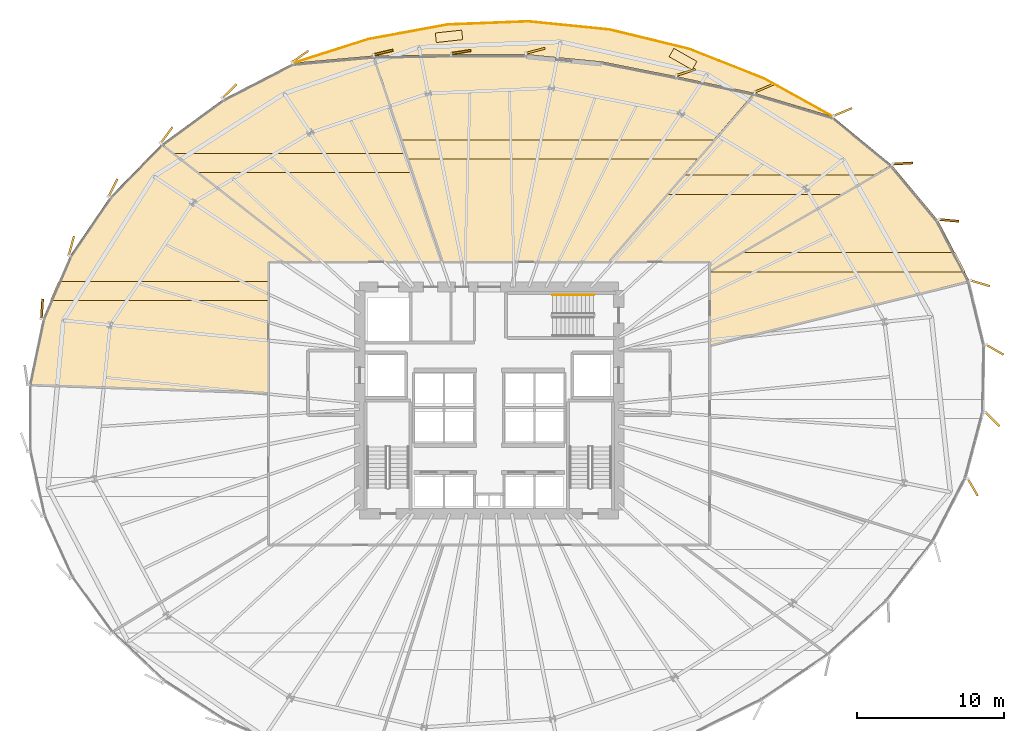
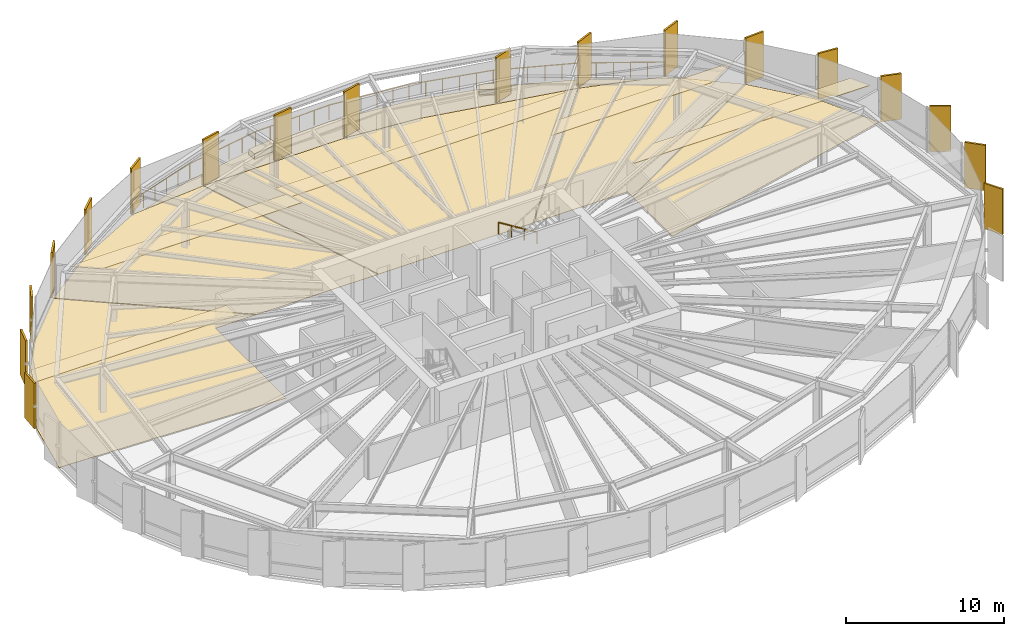
# One storey, part 37 of 37: 31 coverings, 8 railings.
"""IFC4 building model written with IfcOpenShell, lengths in metres."""

from ifc_helpers import new_model, si_unit, direction, frame, origin, origin_2d, place, context, subcontext, project, spatial, polyline, rectangle, circle, outline, extrude, source, transform, mapped, material, layer, layer_set, type_object, element, save


model = new_model("IFC4")

# Units and contexts
model_context = context("Model", 3, precision=1e-05, world=origin(), true_north=direction((0.0, 1.0)))
body_context = subcontext(model_context, "Body", "Model", "MODEL_VIEW")
ifc_project = project(units=[si_unit("LENGTHUNIT", "METRE"), si_unit("AREAUNIT", "SQUARE_METRE"), si_unit("VOLUMEUNIT", "CUBIC_METRE"), si_unit("PLANEANGLEUNIT", "RADIAN"), si_unit("MASSUNIT", "GRAM", prefix="KILO"), si_unit("THERMODYNAMICTEMPERATUREUNIT", "KELVIN")], contexts=[model_context])

# Site, building, storey
site_placement = place(None, origin())
site = spatial("IfcSite", under=ifc_project, at=site_placement, CompositionType="ELEMENT")
building_placement = place(site_placement, origin())
building = spatial("IfcBuilding", under=site, at=building_placement, Name="Kethvar Cultural Tower", CompositionType="ELEMENT")
storey_placement = place(building_placement, frame((0.0, 0.0, 56.199951171875)))
storey = spatial("IfcBuildingStorey", under=building, at=storey_placement, Name="L13", CompositionType="ELEMENT", Elevation=56.199951171875)

# Coverings
ifc_material_1 = material(Name="Acoustic Mineral Fibre Ceiling")
ifc_layer_1 = layer(ifc_material_1, 0.0400390625, Name="Acoustic Mineral Fibre Ceiling")
ifc_layer_set_1 = layer_set([ifc_layer_1], Name="Acoustic Mineral Fibre Ceiling (40 mm)")
covering_type_1 = type_object("IfcCoveringType", Name="CV-ACOUSTIC-CEIL", PredefinedType="CEILING", material=ifc_layer_set_1)
covering_1_placement = place(storey_placement, frame((0.0, 0.0, 2.56005859375)))
element("IfcCovering", 1, at=covering_1_placement, inside=storey, type_object=covering_type_1, Name="L13 Room 05 Acoustic Ceiling Panel", PredefinedType="CEILING", context=body_context, shape_type="SweptSolid", body=[
    extrude(outline(polyline([(79.14111328125, 36.538330078125), (61.77001953125, 36.538330078125), (61.77001953125, 36.561279296875), (63.952392578125, 37.848388671875), (78.460693359375, 37.848388671875), (79.14111328125, 36.538330078125)])), origin(), (0.0, 0.0, 1.0), 0.0400390625),
])
covering_2_placement = place(storey_placement, frame((0.0, 0.0, 2.56005859375)))
element("IfcCovering", 2, at=covering_2_placement, inside=storey, type_object=covering_type_1, Name="L13 Room 06 Acoustic Ceiling Panel", PredefinedType="CEILING", context=body_context, shape_type="SweptSolid", body=[
    extrude(outline(polyline([(70.78369140625, 41.794921875), (58.8583984375, 41.794921875), (59.98974609375, 43.10498046875), (73.025146484375, 43.10498046875), (70.78369140625, 41.794921875)])), origin(), (0.0, 0.0, 1.0), 0.0400390625),
])
covering_3_placement = place(storey_placement, frame((0.0, 0.0, 2.56005859375)))
element("IfcCovering", 3, at=covering_3_placement, inside=storey, type_object=covering_type_1, Name="L13 Room 07 Acoustic Ceiling Panel", PredefinedType="CEILING", context=body_context, shape_type="SweptSolid", body=[
    extrude(outline(polyline([(60.976806640625, 44.18701171875), (41.27978515625, 44.18701171875), (40.840087890625, 45.496826171875), (62.108154296875, 45.496826171875), (60.976806640625, 44.18701171875)])), origin(), (0.0, 0.0, 1.0), 0.0400390625),
])
covering_4_placement = place(storey_placement, frame((0.0, 0.0, 2.56005859375)))
element("IfcCovering", 4, at=covering_4_placement, inside=storey, type_object=covering_type_1, Name="L13 Room 08 Acoustic Ceiling Panel", PredefinedType="CEILING", context=body_context, shape_type="SweptSolid", body=[
    extrude(outline(polyline([(41.626953125, 43.2783203125), (26.9794921875, 43.2783203125), (25.3046875, 44.588134765625), (41.187255859375, 44.588134765625), (41.626953125, 43.2783203125)])), origin(), (0.0, 0.0, 1.0), 0.0400390625),
])
covering_5_placement = place(storey_placement, frame((0.0, 0.0, 2.56005859375)))
element("IfcCovering", 5, at=covering_5_placement, inside=storey, type_object=covering_type_1, Name="L13 Room 09 Acoustic Ceiling Panel", PredefinedType="CEILING", context=body_context, shape_type="SweptSolid", body=[
    extrude(outline(polyline([(17.537353515625, 35.895263671875), (31.830078125, 35.895263671875), (31.830078125, 34.585205078125), (16.972412109375, 34.585205078125), (17.537353515625, 35.895263671875)])), origin(), (0.0, 0.0, 1.0), 0.0400390625),
])
ifc_material_2 = material(Name="Architectural Oak Timber", Category="wood")
ifc_layer_2 = layer(ifc_material_2, 0.02490234375, Name="Architectural Oak Timber", Category="wood")
ifc_layer_set_2 = layer_set([ifc_layer_2], Name="Architectural Oak Timber (25 mm)")
covering_type_2 = type_object("IfcCoveringType", Name="CV-OAK-FLOOR", PredefinedType="FLOORING", material=ifc_layer_set_2)
covering_6_placement = place(storey_placement, origin())
element("IfcCovering", 6, at=covering_6_placement, inside=storey, type_object=covering_type_2, Name="L13 Room 05 Floor Finish", PredefinedType="FLOORING", context=body_context, shape_type="SweptSolid", body=[
    extrude(outline(polyline([(77.282470703125, 40.02978515625), (79.416015625, 35.922607421875), (61.81005859375, 31.54931640625), (61.81005859375, 36.5498046875), (74.1591796875, 43.767822265625), (77.282470703125, 40.02978515625)])), origin(), (0.0, 0.0, 1.0), 0.025146484375),
])
covering_7_placement = place(storey_placement, origin())
element("IfcCovering", 7, at=covering_7_placement, inside=storey, type_object=covering_type_2, Name="L13 Room 06 Floor Finish", PredefinedType="FLOORING", context=body_context, shape_type="SweptSolid", body=[
    extrude(outline(polyline([(70.1748046875, 47.041015625), (74.12890625, 43.79638671875), (61.81005859375, 36.59619140625), (61.7919921875, 37.219970703125), (54.960693359375, 37.219970703125), (64.8271484375, 48.645751953125), (70.1748046875, 47.041015625)])), origin(), (0.0, 0.0, 1.0), 0.025146484375),
])
covering_8_placement = place(storey_placement, origin())
element("IfcCovering", 8, at=covering_8_placement, inside=storey, type_object=covering_type_2, Name="L13 Room 07 Floor Finish", PredefinedType="FLOORING", context=body_context, shape_type="SweptSolid", body=[
    extrude(outline(polyline([(38.973876953125, 51.183837890625), (49.32080078125, 51.281005859375), (54.442138671875, 50.783203125), (64.783203125, 48.656005859375), (54.907958984375, 37.219970703125), (43.659912109375, 37.219970703125), (38.973876953125, 51.183837890625)])), origin(), (0.0, 0.0, 1.0), 0.025146484375),
])
covering_9_placement = place(storey_placement, origin())
element("IfcCovering", 9, at=covering_9_placement, inside=storey, type_object=covering_type_2, Name="L13 Room 08 Floor Finish", PredefinedType="FLOORING", context=body_context, shape_type="SweptSolid", body=[
    extrude(outline(polyline([(28.7255859375, 48.255615234375), (33.4521484375, 50.686767578125), (38.932373046875, 51.18212890625), (43.61767578125, 37.219970703125), (34.78955078125, 37.219970703125), (24.566650390625, 45.216552734375), (28.7255859375, 48.255615234375)])), origin(), (0.0, 0.0, 1.0), 0.025146484375),
])
covering_10_placement = place(storey_placement, origin())
element("IfcCovering", 10, at=covering_10_placement, inside=storey, type_object=covering_type_2, Name="L13 Room 09 Floor Finish", PredefinedType="FLOORING", context=body_context, shape_type="SweptSolid", body=[
    extrude(outline(polyline([(16.468994140625, 33.31689453125), (18.323486328125, 37.6171875), (21.043701171875, 41.619384765625), (24.53515625, 45.190185546875), (34.724609375, 37.219970703125), (31.791015625, 37.205810546875), (31.7900390625, 28.324462890625), (15.539794921875, 28.87060546875), (16.468994140625, 33.31689453125)])), origin(), (0.0, 0.0, 1.0), 0.025146484375),
])
ifc_material_3 = material(Name="Insulated Waterproofing Membrane")
ifc_layer_3 = layer(ifc_material_3, 0.06005859375, Name="Insulated Waterproofing Membrane")
ifc_layer_set_3 = layer_set([ifc_layer_3], Name="Insulated Waterproofing Membrane (60 mm)")
covering_type_3 = type_object("IfcCoveringType", Name="CV-ROOF-MEMB", PredefinedType="ROOFING", material=ifc_layer_set_3)
covering_11_placement = place(storey_placement, frame((0.0, 0.0, -0.27490234375)))
element("IfcCovering", 11, at=covering_11_placement, inside=storey, type_object=covering_type_3, Name="L13 Terrace Waterproofing", PredefinedType="ROOFING", context=body_context, shape_type="SweptSolid", body=[
    extrude(outline(polyline([(70.1845703125, 47.05908203125), (65.53759765625, 49.743896484375), (60.413818359375, 51.772216796875), (55.001708984375, 53.086181640625), (49.473388671875, 53.646240234375), (43.97021484375, 53.432861328125), (38.58349609375, 52.444091796875), (33.4462890625, 50.706298828125), (38.9462890625, 51.203369140625), (44.20751953125, 51.283935546875), (49.32177734375, 51.301025390625), (54.445068359375, 50.802978515625), (59.544921875, 49.79248046875), (64.820556640625, 48.668701171875), (70.1845703125, 47.05908203125)])), origin(), (0.0, 0.0, 1.0), 0.06005859375),
])

# Railings
ifc_material_4 = material(Name="Steel S355J2", Category="steel")
railing_type_1 = type_object("IfcRailingType", Name="RL-EXT-GUARD-1150", PredefinedType="BALUSTRADE", material=ifc_material_4)
railing_1_placement = place(storey_placement, frame((70.1845703125, 47.05908203125, 0.0)))
element("IfcRailing", 12, at=railing_1_placement, inside=storey, type_object=railing_type_1, Name="L13 Spiralling Terrace Balustrade 01", PredefinedType="BALUSTRADE", context=body_context, shape_type="SweptSolid", body=[
    extrude(circle(Radius=0.02392578125, at=origin_2d()), frame((0.0, 0.0, 1.1259765625), z_axis=(-0.874853418948, 0.484387753102, 0.0), x_axis=(-0.484387753102, -0.874853418948, 0.0)), (0.0, 0.0, 1.0), 5.385986328125),
    extrude(circle(Radius=0.02099609375, at=origin_2d()), origin(), (0.0, 0.0, 1.0), 1.101806640625),
    extrude(circle(Radius=0.02099609375, at=origin_2d()), frame((-0.9423828125, 0.521728515625, 0.0)), (0.0, 0.0, 1.0), 1.101806640625),
    extrude(circle(Radius=0.02099609375, at=origin_2d()), frame((-1.884765625, 1.04345703125, 0.0)), (0.0, 0.0, 1.0), 1.101806640625),
    extrude(circle(Radius=0.02099609375, at=origin_2d()), frame((-2.8271484375, 1.5654296875, 0.0)), (0.0, 0.0, 1.0), 1.101806640625),
    extrude(circle(Radius=0.02099609375, at=origin_2d()), frame((-3.76953125, 2.087158203125, 0.0)), (0.0, 0.0, 1.0), 1.101806640625),
    extrude(circle(Radius=0.02099609375, at=origin_2d()), frame((-4.7119140625, 2.60888671875, 0.0)), (0.0, 0.0, 1.0), 1.101806640625),
])
railing_2_placement = place(storey_placement, frame((65.47265625, 49.66796875, 0.0)))
element("IfcRailing", 13, at=railing_2_placement, inside=storey, type_object=railing_type_1, Name="L13 Spiralling Terrace Balustrade 02", PredefinedType="BALUSTRADE", context=body_context, shape_type="SweptSolid", body=[
    extrude(circle(Radius=0.02392578125, at=origin_2d()), frame((0.0, 0.0, 1.1259765625), z_axis=(-0.930095680617, 0.367317335417, 0.0), x_axis=(-0.367317335417, -0.930095680617, 0.0)), (0.0, 0.0, 1.0), 5.4921875),
    extrude(circle(Radius=0.02099609375, at=origin_2d()), origin(), (0.0, 0.0, 1.0), 1.101806640625),
    extrude(circle(Radius=0.02099609375, at=origin_2d()), frame((-1.021728515625, 0.403564453125, 0.0)), (0.0, 0.0, 1.0), 1.101806640625),
    extrude(circle(Radius=0.02099609375, at=origin_2d()), frame((-2.043212890625, 0.806884765625, 0.0)), (0.0, 0.0, 1.0), 1.101806640625),
    extrude(circle(Radius=0.02099609375, at=origin_2d()), frame((-3.06494140625, 1.21044921875, 0.0)), (0.0, 0.0, 1.0), 1.101806640625),
    extrude(circle(Radius=0.02099609375, at=origin_2d()), frame((-4.08642578125, 1.61376953125, 0.0)), (0.0, 0.0, 1.0), 1.101806640625),
    extrude(circle(Radius=0.02099609375, at=origin_2d()), frame((-5.108154296875, 2.017333984375, 0.0)), (0.0, 0.0, 1.0), 1.101806640625),
])
railing_3_placement = place(storey_placement, frame((60.364501953125, 51.685302734375, 0.0)))
element("IfcRailing", 14, at=railing_3_placement, inside=storey, type_object=railing_type_1, Name="L13 Spiralling Terrace Balustrade 03", PredefinedType="BALUSTRADE", context=body_context, shape_type="SweptSolid", body=[
    extrude(circle(Radius=0.02392578125, at=origin_2d()), frame((0.0, 0.0, 1.1259765625), z_axis=(-0.971929412817, 0.235272642907, 0.0), x_axis=(-0.235272642907, -0.971929412817, 0.0)), (0.0, 0.0, 1.0), 5.549560546875),
    extrude(circle(Radius=0.02099609375, at=origin_2d()), origin(), (0.0, 0.0, 1.0), 1.101806640625),
    extrude(circle(Radius=0.02099609375, at=origin_2d()), frame((-1.078857421875, 0.26123046875, 0.0)), (0.0, 0.0, 1.0), 1.101806640625),
    extrude(circle(Radius=0.02099609375, at=origin_2d()), frame((-2.157470703125, 0.522216796875, 0.0)), (0.0, 0.0, 1.0), 1.101806640625),
    extrude(circle(Radius=0.02099609375, at=origin_2d()), frame((-3.236328125, 0.783447265625, 0.0)), (0.0, 0.0, 1.0), 1.101806640625),
    extrude(circle(Radius=0.02099609375, at=origin_2d()), frame((-4.31494140625, 1.04443359375, 0.0)), (0.0, 0.0, 1.0), 1.101806640625),
    extrude(circle(Radius=0.02099609375, at=origin_2d()), frame((-5.393798828125, 1.3056640625, 0.0)), (0.0, 0.0, 1.0), 1.101806640625),
])
railing_4_placement = place(storey_placement, frame((54.970703125, 52.990966796875, 0.0)))
element("IfcRailing", 15, at=railing_4_placement, inside=storey, type_object=railing_type_1, Name="L13 Spiralling Terrace Balustrade 04", PredefinedType="BALUSTRADE", context=body_context, shape_type="SweptSolid", body=[
    extrude(circle(Radius=0.02392578125, at=origin_2d()), frame((0.0, 0.0, 1.1259765625), z_axis=(-0.994949031158, 0.100381399659, 0.0), x_axis=(-0.100381399659, -0.994949031158, 0.0)), (0.0, 0.0, 1.0), 5.53564453125),
    extrude(circle(Radius=0.02099609375, at=origin_2d()), origin(), (0.0, 0.0, 1.0), 1.101806640625),
    extrude(circle(Radius=0.02099609375, at=origin_2d()), frame((-1.1015625, 0.111083984375, 0.0)), (0.0, 0.0, 1.0), 1.101806640625),
    extrude(circle(Radius=0.02099609375, at=origin_2d()), frame((-2.203125, 0.22216796875, 0.0)), (0.0, 0.0, 1.0), 1.101806640625),
    extrude(circle(Radius=0.02099609375, at=origin_2d()), frame((-3.304443359375, 0.33349609375, 0.0)), (0.0, 0.0, 1.0), 1.101806640625),
    extrude(circle(Radius=0.02099609375, at=origin_2d()), frame((-4.406005859375, 0.444580078125, 0.0)), (0.0, 0.0, 1.0), 1.101806640625),
    extrude(circle(Radius=0.02099609375, at=origin_2d()), frame((-5.507568359375, 0.5556640625, 0.0)), (0.0, 0.0, 1.0), 1.101806640625),
])
railing_5_placement = place(storey_placement, frame((49.463134765625, 53.546630859375, 0.0)))
element("IfcRailing", 16, at=railing_5_placement, inside=storey, type_object=railing_type_1, Name="L13 Spiralling Terrace Balustrade 05", PredefinedType="BALUSTRADE", context=body_context, shape_type="SweptSolid", body=[
    extrude(circle(Radius=0.02392578125, at=origin_2d()), frame((0.0, 0.0, 1.1259765625), z_axis=(-0.999245048536, -0.038850134826, 0.0), x_axis=(0.038850134826, -0.999245048536, 0.0)), (0.0, 0.0, 1.0), 5.486083984375),
    extrude(circle(Radius=0.02099609375, at=origin_2d()), origin(), (0.0, 0.0, 1.0), 1.101806640625),
    extrude(circle(Radius=0.02099609375, at=origin_2d()), frame((-1.096435546875, -0.042724609375, 0.0)), (0.0, 0.0, 1.0), 1.101806640625),
    extrude(circle(Radius=0.02099609375, at=origin_2d()), frame((-2.19287109375, -0.085205078125, 0.0)), (0.0, 0.0, 1.0), 1.101806640625),
    extrude(circle(Radius=0.02099609375, at=origin_2d()), frame((-3.2890625, -0.1279296875, 0.0)), (0.0, 0.0, 1.0), 1.101806640625),
    extrude(circle(Radius=0.02099609375, at=origin_2d()), frame((-4.385498046875, -0.17041015625, 0.0)), (0.0, 0.0, 1.0), 1.101806640625),
    extrude(circle(Radius=0.02099609375, at=origin_2d()), frame((-5.48193359375, -0.213134765625, 0.0)), (0.0, 0.0, 1.0), 1.101806640625),
])
railing_6_placement = place(storey_placement, frame((43.981201171875, 53.33349609375, 0.0)))
element("IfcRailing", 17, at=railing_6_placement, inside=storey, type_object=railing_type_1, Name="L13 Spiralling Terrace Balustrade 06", PredefinedType="BALUSTRADE", context=body_context, shape_type="SweptSolid", body=[
    extrude(circle(Radius=0.02392578125, at=origin_2d()), frame((0.0, 0.0, 1.1259765625), z_axis=(-0.98358803195, -0.18042888739, 0.0), x_axis=(0.18042888739, -0.98358803195, 0.0)), (0.0, 0.0, 1.0), 5.455810546875),
    extrude(circle(Radius=0.02099609375, at=origin_2d()), origin(), (0.0, 0.0, 1.0), 1.101806640625),
    extrude(circle(Radius=0.02099609375, at=origin_2d()), frame((-1.0732421875, -0.19677734375, 0.0)), (0.0, 0.0, 1.0), 1.101806640625),
    extrude(circle(Radius=0.02099609375, at=origin_2d()), frame((-2.146484375, -0.393798828125, 0.0)), (0.0, 0.0, 1.0), 1.101806640625),
    extrude(circle(Radius=0.02099609375, at=origin_2d()), frame((-3.2197265625, -0.590576171875, 0.0)), (0.0, 0.0, 1.0), 1.101806640625),
    extrude(circle(Radius=0.02099609375, at=origin_2d()), frame((-4.29296875, -0.78759765625, 0.0)), (0.0, 0.0, 1.0), 1.101806640625),
    extrude(circle(Radius=0.02099609375, at=origin_2d()), frame((-5.3662109375, -0.984375, 0.0)), (0.0, 0.0, 1.0), 1.101806640625),
])
railing_7_placement = place(storey_placement, frame((38.614990234375, 52.34912109375, 0.0)))
element("IfcRailing", 18, at=railing_7_placement, inside=storey, type_object=railing_type_1, Name="L13 Spiralling Terrace Balustrade 07", PredefinedType="BALUSTRADE", context=body_context, shape_type="SweptSolid", body=[
    extrude(circle(Radius=0.02392578125, at=origin_2d()), frame((0.0, 0.0, 1.1259765625), z_axis=(-0.953019734353, -0.30290821371, 0.0), x_axis=(0.30290821371, -0.953019734353, 0.0)), (0.0, 0.0, 1.0), 5.423583984375),
    extrude(circle(Radius=0.02099609375, at=origin_2d()), origin(), (0.0, 0.0, 1.0), 1.101806640625),
    extrude(circle(Radius=0.02099609375, at=origin_2d()), frame((-1.03369140625, -0.32861328125, 0.0)), (0.0, 0.0, 1.0), 1.101806640625),
    extrude(circle(Radius=0.02099609375, at=origin_2d()), frame((-2.0673828125, -0.6572265625, 0.0)), (0.0, 0.0, 1.0), 1.101806640625),
    extrude(circle(Radius=0.02099609375, at=origin_2d()), frame((-3.101318359375, -0.985595703125, 0.0)), (0.0, 0.0, 1.0), 1.101806640625),
    extrude(circle(Radius=0.02099609375, at=origin_2d()), frame((-4.135009765625, -1.314208984375, 0.0)), (0.0, 0.0, 1.0), 1.101806640625),
    extrude(circle(Radius=0.02099609375, at=origin_2d()), frame((-5.168701171875, -1.642822265625, 0.0)), (0.0, 0.0, 1.0), 1.101806640625),
])
railing_type_2 = type_object("IfcRailingType", Name="RL-STAIR-HANDRAIL", PredefinedType="HANDRAIL", material=ifc_material_4)
railing_8_placement = place(storey_placement, frame((53.89990234375, 34.9599609375, 0.1728515625)))
element("IfcRailing", 19, at=railing_8_placement, inside=storey, type_object=railing_type_2, Name="L13 ST-03 stair handrail 1", PredefinedType="HANDRAIL", context=body_context, shape_type="SweptSolid", body=[
    extrude(circle(Radius=0.02392578125, at=origin_2d()), frame((0.0, 0.0, 0.8759765625), z_axis=(-0.851069175582, 0.0, 0.525053576669), x_axis=(0.0, -1.0, 0.0)), (0.0, 0.0, 1.0), 3.289794921875),
    extrude(circle(Radius=0.02099609375, at=origin_2d()), origin(), (0.0, 0.0, 1.0), 0.851806640625),
    extrude(circle(Radius=0.02099609375, at=origin_2d()), frame((-0.933349609375, 0.0, 0.57568359375)), (0.0, 0.0, 1.0), 0.851806640625),
    extrude(circle(Radius=0.02099609375, at=origin_2d()), frame((-1.866455078125, 0.0, 1.151611328125)), (0.0, 0.0, 1.0), 0.851806640625),
    extrude(circle(Radius=0.02099609375, at=origin_2d()), frame((-2.7998046875, 0.0, 1.727294921875)), (0.0, 0.0, 1.0), 0.851806640625),
])

# Coverings
ifc_material_5 = material(Name="Extruded Architectural Terracotta", Category="masonry")
ifc_layer_4 = layer(ifc_material_5, 0.135009765625, Name="Extruded Architectural Terracotta", Category="masonry")
ifc_layer_set_4 = layer_set([ifc_layer_4], Name="Extruded Architectural Terracotta (135 mm)")
covering_type_4 = type_object("IfcCoveringType", Name="Terracotta Facade Fin FIN-01", PredefinedType="CLADDING", material=ifc_layer_set_4)
shared_shape_1 = source(origin(), body_context, "Body", "SweptSolid", [
    extrude(rectangle(XDim=1.35009765625, YDim=0.135009765625, at=origin_2d()), origin(), (0.0, 0.0, 1.0), 3.510009765625),
])
for number, where, z_axis, x_axis, name in (
    (20, (81.15625, 31.244140625, 0.02001953125), (0.0, 0.0, 1.0), (0.866809733209, -0.498639034186, 0.0), "L13 Vertical Terracotta Fin 1.1"),
    (21, (80.1640625, 35.755859375, 0.02001953125), (0.0, 0.0, 1.0), (0.959363237809, -0.282174020669, 0.0), "L13 Vertical Terracotta Fin 1.2"),
    (22, (78.03271484375, 40.03125, 0.02001953125), (0.0, 0.0, 1.0), (0.995900201817, -0.090458764201, 0.0), "L13 Vertical Terracotta Fin 1.3"),
    (23, (74.88818359375, 43.895263671875, 0.02001953125), (0.0, 0.0, 1.0), (0.998260468937, 0.058957918535, 0.0), "L13 Vertical Terracotta Fin 1.4"),
    (24, (70.829833984375, 47.396728515625, 0.02001953125), (0.0, 0.0, 1.0), (0.92213346383, 0.386871910179, 0.0), "L13 Vertical Terracotta Fin 1.5"),
    (25, (65.45849609375, 49.01025390625, 0.02001953125), (0.0, 0.0, 1.0), (0.920641188263, 0.390409787882, 0.0), "L13 Vertical Terracotta Fin 1.6"),
    (26, (60.160888671875, 50.087158203125, 0.02001953125), (0.0, 0.0, 1.0), (0.951379596601, 0.308020881065, 0.0), "L13 Vertical Terracotta Fin 2.1"),
    (27, (49.931884765625, 51.552734375, 0.02001953125), (0.0, 0.0, 1.0), (0.967090360608, 0.254433162972, 0.0), "L13 Vertical Terracotta Fin 3.1"),
    (28, (44.873046875, 51.468017578125, 0.02001953125), (0.0, 0.0, 1.0), (0.988013809691, 0.15436551383, 0.0), "L13 Vertical Terracotta Fin 3.2"),
    (29, (39.59619140625, 51.436767578125, 0.02001953125), (0.0, 0.0, 1.0), (0.973738084586, 0.227671128223, 0.0), "L13 Vertical Terracotta Fin 3.3"),
    (30, (33.961181640625, 51.166748046875, 0.02001953125), (0.0, 0.0, 1.0), (0.816943635719, 0.576717518425, 0.0), "L13 Vertical Terracotta Fin 3.4"),
    (31, (29.152099609375, 48.8076171875, 0.02001953125), (0.0, 0.0, 1.0), (0.717397145963, 0.696664434978, 0.0), "L13 Vertical Terracotta Fin 3.5"),
    (32, (24.87646484375, 45.81640625, 0.02001953125), (0.0, 0.0, 1.0), (0.592856820161, 0.805307885711, 0.0), "L13 Vertical Terracotta Fin 3.6"),
    (33, (21.236328125, 42.247802734375, 0.02001953125), (0.0, 0.0, 1.0), (0.441505852792, 0.897258369674, 0.0), "L13 Vertical Terracotta Fin 4.1"),
    (34, (18.410888671875, 38.3095703125, 0.02001953125), (0.0, 0.0, 1.0), (0.264378054854, 0.964419122639, 0.0), "L13 Vertical Terracotta Fin 4.2"),
    (35, (16.416259765625, 34.012939453125, 0.02001953125), (0.0, 0.0, 1.0), (0.0662739004, 0.997801468292, 0.0), "L13 Vertical Terracotta Fin 4.3"),
    (36, (79.650390625, 21.90234375, 0.02001953125), (0.0, 0.0, 1.0), (0.50105767621, -0.865413892373, 0.0), "L13 Vertical Terracotta Fin 7.3"),
    (37, (80.987060546875, 26.5302734375, 0.02001953125), (0.0, 0.0, 1.0), (0.70944774386, -0.704758042687, 0.0), "L13 Vertical Terracotta Fin 7.4"),
):
    element("IfcCovering", number, at=place(storey_placement, frame(where, z_axis=z_axis, x_axis=x_axis)), inside=storey, type_object=covering_type_4, Name=name, PredefinedType="CLADDING", context=body_context, shape_type="MappedRepresentation", body=[
        mapped(shared_shape_1, transform((0.0, 0.0, 0.0), scale=1.0)),
    ])
ifc_layer_5 = layer(ifc_material_5, 0.419921875, Name="Extruded Architectural Terracotta", Category="masonry")
ifc_layer_set_5 = layer_set([ifc_layer_5], Name="Extruded Architectural Terracotta (420 mm)")
covering_type_5 = type_object("IfcCoveringType", Name="Terracotta Terrace Planter PLANTER-01", PredefinedType="USERDEFINED", material=ifc_layer_set_5)
shared_shape_2 = source(origin(), body_context, "Body", "SweptSolid", [
    extrude(rectangle(XDim=1.800048828125, YDim=0.64990234375, at=origin_2d()), origin(), (0.0, 0.0, 1.0), 0.419921875),
])
for number, where, z_axis, x_axis, name in (
    (38, (59.969482421875, 50.989501953125, 0.0), (0.0, 0.0, 1.0), (-0.86958112538, 0.493790103568, 0.0), "L13 Sky Terrace Planter Box A"),
    (39, (44.06884765625, 52.5380859375, 0.0), (0.0, 0.0, 1.0), (-0.993960955455, -0.109734311091, 0.0), "L13 Sky Terrace Planter Box B"),
):
    element("IfcCovering", number, at=place(storey_placement, frame(where, z_axis=z_axis, x_axis=x_axis)), inside=storey, type_object=covering_type_5, Name=name, ObjectType="PLANTER", PredefinedType="USERDEFINED", context=body_context, shape_type="MappedRepresentation", body=[
        mapped(shared_shape_2, transform((0.0, 0.0, 0.0), scale=1.0)),
    ])

save(model, "model.ifc")
